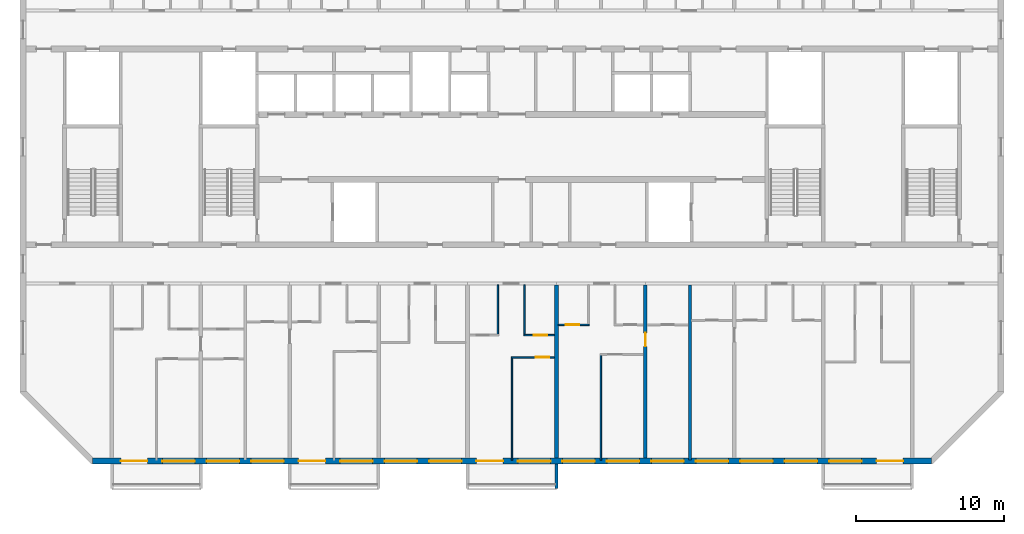
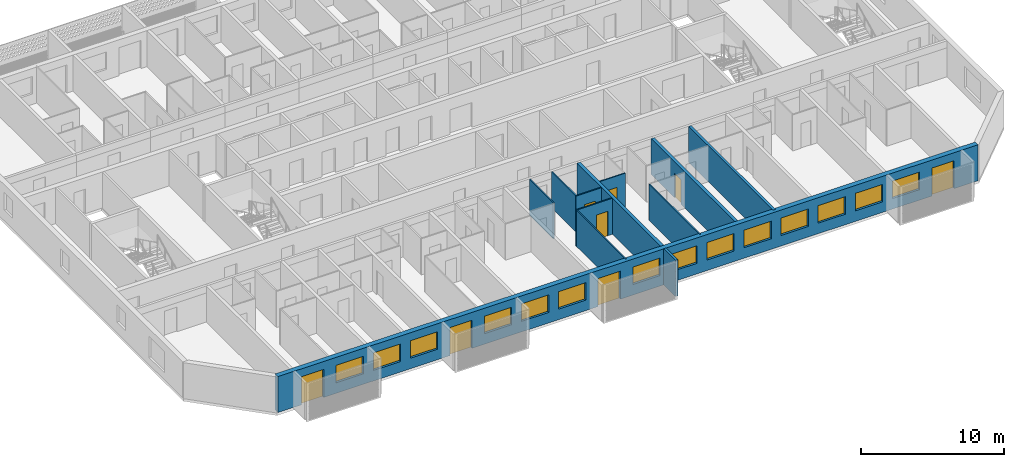
# One storey, part 4 of 27: 14 windows, 12 walls, 8 doors, 22 openings.
"""IFC4 building model written with IfcOpenShell, lengths in metres."""

import ifcopenshell
import ifcopenshell.guid

model = None  # the IFC model being written
_history = None  # IfcOwnerHistory: only IFC2X3 demands one
_inside = {}  # id of a spatial element -> (the spatial element, [elements in it])
_under = {}  # id of a project, library or spatial element -> (it, [spatial elements below it])
_declared = {}  # id of a project -> (the project, [libraries it declares])
_typed = {}  # id of a type object -> (the type object, [elements of that type])
_made_of = {}  # id of a material, layer set ... -> (it, [elements and type objects made of it])


def new_model(schema):
    """Start an empty IFC model of exactly this schema.

    Asked for "IFC4X3", IfcOpenShell would pick the latest addendum, in which some entities
    have other attributes; the version numbers below select the first issue.
    IFC2X3 requires an IfcOwnerHistory on every rooted entity: one is made here for all.
    """
    global model, _history
    if schema == "IFC4X3":
        model = ifcopenshell.file(schema_version=(4, 3, 0, 0))
    else:
        model = ifcopenshell.file(schema=schema)
    _inside.clear()
    _under.clear()
    _declared.clear()
    _typed.clear()
    _made_of.clear()
    _history = None
    if model.schema == "IFC2X3":
        org = make("IfcOrganization", Name="unknown")
        user = make(
            "IfcPersonAndOrganization",
            ThePerson=make("IfcPerson", FamilyName="unknown"),
            TheOrganization=org,
        )
        app = make(
            "IfcApplication",
            ApplicationDeveloper=org,
            Version="unknown",
            ApplicationFullName="unknown",
            ApplicationIdentifier="unknown",
        )
        _history = make(
            "IfcOwnerHistory",
            OwningUser=user,
            OwningApplication=app,
            ChangeAction="ADDED",
            CreationDate=0,
        )
    return model


def make(cls, **values):
    """One entity of the class cls with the attributes given. An attribute that is None is left unset."""
    return model.create_entity(
        cls, **{name: value for name, value in values.items() if value is not None}
    )


def rooted(cls, **values):
    """An entity with a GlobalId (a new one), such as an element, a storey or a relation."""
    return make(cls, GlobalId=ifcopenshell.guid.new(), OwnerHistory=_history, **values)


def si_unit(unit_type, name, prefix=None):
    """IfcSIUnit, for example si_unit("LENGTHUNIT", "METRE", prefix="MILLI")."""
    return make("IfcSIUnit", UnitType=unit_type, Prefix=prefix, Name=name)


def assignment(units):
    """IfcUnitAssignment: the units of a project."""
    return None if units is None else make("IfcUnitAssignment", Units=units)


def point(xyz):
    """IfcCartesianPoint."""
    return None if xyz is None else make("IfcCartesianPoint", Coordinates=xyz)


def direction(xyz):
    """IfcDirection."""
    return None if xyz is None else make("IfcDirection", DirectionRatios=xyz)


def frame(location, z_axis=None, x_axis=None):
    """IfcAxis2Placement3D, a coordinate frame: its origin and axes. An axis left out is left unset."""
    return make(
        "IfcAxis2Placement3D",
        Location=point(location),
        Axis=direction(z_axis),
        RefDirection=direction(x_axis),
    )


def frame_2d(location, x_axis=None):
    """IfcAxis2Placement2D, a coordinate frame in the plane: its origin and x axis."""
    return make(
        "IfcAxis2Placement2D", Location=point(location), RefDirection=direction(x_axis)
    )


def origin():
    """The frame at (0, 0, 0) with its axes left unset."""
    return frame((0.0, 0.0, 0.0))


def place(relative_to, where):
    """IfcLocalPlacement: puts the frame where relative to a parent placement (None: the world)."""
    return make(
        "IfcLocalPlacement", PlacementRelTo=relative_to, RelativePlacement=where
    )


def context(
    kind, dimensions, precision=None, world=None, true_north=None, identifier=None
):
    """IfcGeometricRepresentationContext, for example the 3D "Model" context."""
    return make(
        "IfcGeometricRepresentationContext",
        ContextIdentifier=identifier,
        ContextType=kind,
        CoordinateSpaceDimension=dimensions,
        Precision=precision,
        WorldCoordinateSystem=world,
        TrueNorth=true_north,
    )


def subcontext(parent, identifier, kind, view, scale=None):
    """IfcGeometricRepresentationSubContext, for example "Body" below "Model"."""
    return make(
        "IfcGeometricRepresentationSubContext",
        ContextIdentifier=identifier,
        ContextType=kind,
        ParentContext=parent,
        TargetScale=scale,
        TargetView=view,
    )


def project(units=None, contexts=None):
    """IfcProject with its units and contexts."""
    return rooted(
        "IfcProject",
        Name="project",
        RepresentationContexts=contexts,
        UnitsInContext=assignment(units),
    )


def spatial(cls, under=None, at=None, **own):
    """A site, building, storey or space (cls), placed at a placement, below another one or the project."""
    s = rooted(cls, ObjectPlacement=at, **own)
    if under is not None:
        _under.setdefault(under.id(), (under, []))[1].append(s)
    return s


def polyline(points):
    """IfcPolyline through the points."""
    return make("IfcPolyline", Points=[point(p) for p in points])


def profile(cls, at=None, kind="AREA", **sizes):
    """A parametric profile (cls). Its sizes go by their IFC names, for example OverallWidth=200.0."""
    return make(cls, ProfileType=kind, Position=at, **sizes)


def rectangle(**sizes):
    """IfcRectangleProfileDef."""
    return profile("IfcRectangleProfileDef", **sizes)


def outline(outer, holes=None, kind="AREA"):
    """IfcArbitraryClosedProfileDef: a profile drawn as a closed curve; with holes, ...WithVoids."""
    if holes is None:
        return make("IfcArbitraryClosedProfileDef", ProfileType=kind, OuterCurve=outer)
    return make(
        "IfcArbitraryProfileDefWithVoids",
        ProfileType=kind,
        OuterCurve=outer,
        InnerCurves=holes,
    )


def extrude(swept, where, along, depth):
    """IfcExtrudedAreaSolid: the profile swept, set in the frame where, extruded along a direction by depth."""
    return make(
        "IfcExtrudedAreaSolid",
        SweptArea=swept,
        Position=where,
        ExtrudedDirection=direction(along),
        Depth=depth,
    )


def shape(context_of_items, identifier, shape_type, items):
    """IfcShapeRepresentation: the items that make up one representation, for example the "Body"."""
    return make(
        "IfcShapeRepresentation",
        ContextOfItems=context_of_items,
        RepresentationIdentifier=identifier,
        RepresentationType=shape_type,
        Items=items,
    )


def source(mapping_origin, context_of_items, identifier, shape_type, items):
    """IfcRepresentationMap: a shape defined once, which mapped items show again and again."""
    return make(
        "IfcRepresentationMap",
        MappingOrigin=mapping_origin,
        MappedRepresentation=shape(context_of_items, identifier, shape_type, items),
    )


def transform(
    local_origin,
    x_axis=None,
    y_axis=None,
    z_axis=None,
    scale=None,
    scale2=None,
    scale3=None,
    uniform=True,
):
    """IfcCartesianTransformationOperator3D, or its non-uniform kind. x_axis, y_axis, z_axis: its Axis1, 2, 3."""
    if uniform:
        return make(
            "IfcCartesianTransformationOperator3D",
            Axis1=direction(x_axis),
            Axis2=direction(y_axis),
            LocalOrigin=point(local_origin),
            Scale=scale,
            Axis3=direction(z_axis),
        )
    return make(
        "IfcCartesianTransformationOperator3DnonUniform",
        Axis1=direction(x_axis),
        Axis2=direction(y_axis),
        LocalOrigin=point(local_origin),
        Scale=scale,
        Axis3=direction(z_axis),
        Scale2=scale2,
        Scale3=scale3,
    )


def mapped(mapping_source, mapping_target):
    """IfcMappedItem: shows the shape of a source again, moved by a transform."""
    return make(
        "IfcMappedItem", MappingSource=mapping_source, MappingTarget=mapping_target
    )


def material(Name=None, Category=None):
    """IfcMaterial."""
    return make("IfcMaterial", Name=Name, Category=Category)


def layer(
    of_material, thickness, ventilated=None, Name=None, Category=None, Priority=None
):
    """IfcMaterialLayer: one layer of a wall or slab, of a material (None: an air gap)."""
    return make(
        "IfcMaterialLayer",
        Material=of_material,
        LayerThickness=thickness,
        IsVentilated=ventilated,
        Name=Name,
        Category=Category,
        Priority=Priority,
    )


def layer_set(layers, Name=None):
    """IfcMaterialLayerSet."""
    return make("IfcMaterialLayerSet", MaterialLayers=layers, LayerSetName=Name)


def made_of(thing, what):
    """Note that an element or type object is made of a material, layer set ...; save() writes the relation."""
    if what is not None:
        _made_of.setdefault(what.id(), (what, []))[1].append(thing)
    return thing


def type_object(cls, material=None, **own):
    """A type object (cls), such as IfcWallType, which elements share."""
    return made_of(rooted(cls, **own), material)


def element(
    cls,
    number,
    at=None,
    inside=None,
    cuts=None,
    type_object=None,
    material=None,
    context=None,
    identifier="Body",
    shape_type=None,
    held_by="IfcProductDefinitionShape",
    body=None,
    shapes=None,
    **own,
):
    """One element of the class cls, such as IfcWall. Its Tag is "e" and its number.

    at: its placement. inside: the storey or other place that contains it. cuts: it is an
    opening in that element (IfcRelVoidsElement). A single representation is given by context,
    identifier, shape_type and body (its items); several are given by shapes. held_by: the class
    of the entity that holds the representations. save() writes the other relations.
    """
    e = rooted(cls, Tag="e%d" % number, ObjectPlacement=at, **own)
    if body is not None:
        shapes = [shape(context, identifier, shape_type, body)]
    if shapes is not None:
        e.Representation = make(held_by, Representations=shapes)
    if inside is not None:
        _inside.setdefault(inside.id(), (inside, []))[1].append(e)
    if cuts is not None:
        rooted(
            "IfcRelVoidsElement", RelatingBuildingElement=cuts, RelatedOpeningElement=e
        )
    if type_object is not None:
        _typed.setdefault(type_object.id(), (type_object, []))[1].append(e)
    return made_of(e, material)


def fill(opening, filler):
    """IfcRelFillsElement: the door or window that sits in an opening."""
    return rooted(
        "IfcRelFillsElement",
        RelatingOpeningElement=opening,
        RelatedBuildingElement=filler,
    )


def aggregate(whole, parts):
    """IfcRelAggregates: a whole, such as a stair, and the parts it consists of."""
    return rooted("IfcRelAggregates", RelatingObject=whole, RelatedObjects=parts)


def save(model, path):
    """Write the relations noted so far, then the file.

    IfcRelAggregates (storeys below a building ...), IfcRelContainedInSpatialStructure (elements
    in a storey), IfcRelDefinesByType, IfcRelAssociatesMaterial and IfcRelDeclares: one each for
    every whole, place, type object, material and project.
    """
    for whole, parts in _under.values():
        aggregate(whole, parts)
    for where, things in _inside.values():
        rooted(
            "IfcRelContainedInSpatialStructure",
            RelatedElements=things,
            RelatingStructure=where,
        )
    for kind, things in _typed.values():
        rooted("IfcRelDefinesByType", RelatedObjects=things, RelatingType=kind)
    for what, things in _made_of.values():
        rooted("IfcRelAssociatesMaterial", RelatedObjects=things, RelatingMaterial=what)
    for by, libraries in _declared.values():
        rooted("IfcRelDeclares", RelatingContext=by, RelatedDefinitions=libraries)
    model.write(path)


model = new_model("IFC4")

# Units and contexts
model_context = context("Model", 3, precision=1e-05, world=origin(), true_north=direction((0.0, 1.0)))
body_context = subcontext(model_context, "Body", "Model", "MODEL_VIEW")
ifc_project = project(units=[si_unit("LENGTHUNIT", "METRE"), si_unit("AREAUNIT", "SQUARE_METRE"), si_unit("VOLUMEUNIT", "CUBIC_METRE"), si_unit("PLANEANGLEUNIT", "RADIAN"), si_unit("MASSUNIT", "GRAM", prefix="KILO")], contexts=[model_context])

# Site, building, storey
site_placement = place(None, origin())
site = spatial("IfcSite", under=ifc_project, at=site_placement, CompositionType="ELEMENT")
building_placement = place(site_placement, origin())
building = spatial("IfcBuilding", under=site, at=building_placement, Name="Poui Terraces", CompositionType="ELEMENT")
storey_placement = place(building_placement, frame((0.0, 0.0, 204.89990234375)))
storey = spatial("IfcBuildingStorey", under=building, at=storey_placement, Name="L57", CompositionType="ELEMENT", Elevation=204.89990234375)

# Wall
ifc_material_1 = material(Name="Concrete 50 MPa", Category="concrete")
ifc_layer_1 = layer(ifc_material_1, 0.25)
ifc_layer_set_1 = layer_set([ifc_layer_1], Name="Concrete 50 MPa")
wall_type_1 = type_object("IfcWallType", Name="CROSS WALL 250 50MPa", PredefinedType="SHEAR", material=ifc_layer_set_1)
wall_1_placement = place(storey_placement, frame((54.0, 0.199951171875, 0.0), z_axis=(0.0, 0.0, 1.0), x_axis=(0.0, 1.0, 0.0)))
element("IfcWall", 1, at=wall_1_placement, inside=storey, type_object=wall_type_1, Name="CROSS WALL LINE 10 SOUTH", PredefinedType="SHEAR", context=body_context, shape_type="SweptSolid", body=[
    extrude(rectangle(XDim=11.699951171875, YDim=0.25, at=frame_2d((5.85009765625, 0.0))), origin(), (0.0, 0.0, 1.0), 3.080078125),
])

# Wall, opening, door
wall_2_placement = place(storey_placement, frame((60.0, 0.199951171875, 0.0), z_axis=(0.0, 0.0, 1.0), x_axis=(0.0, 1.0, 0.0)))
wall_2 = element("IfcWall", 2, at=wall_2_placement, inside=storey, type_object=wall_type_1, Name="CROSS WALL LINE 11 SOUTH", PredefinedType="SHEAR", context=body_context, shape_type="SweptSolid", body=[
    extrude(rectangle(XDim=11.699951171875, YDim=0.25, at=frame_2d((5.85009765625, 0.0))), origin(), (0.0, 0.0, 1.0), 3.080078125),
])
opening_1_placement = place(wall_2_placement, frame((7.550048828125, 0.0, 0.0)))
opening_1 = element("IfcOpeningElement", 3, at=opening_1_placement, cuts=wall_2, Name="Opening D90", PredefinedType="OPENING", context=body_context, shape_type="SweptSolid", body=[
    extrude(rectangle(XDim=0.89990234375, YDim=2.10009765625, at=frame_2d((0.449951171875, 1.050048828125))), frame((0.0, 0.135009765625, 0.0), z_axis=(0.0, -1.0, 0.0), x_axis=(1.0, 0.0, 0.0)), (0.0, 0.0, 1.0), 0.27001953125),
])
ifc_material_2 = material(Name="Solid core timber door", Category="wood")
door_type_1 = type_object("IfcDoorType", Name="INTERNAL DOOR 900 X 2100", OperationType="NOTDEFINED", PredefinedType="DOOR", material=ifc_material_2)
door_1_placement = place(opening_1_placement, frame((0.89990234375, 0.0, 0.0), z_axis=(0.0, 0.0, 1.0), x_axis=(-1.0, 0.0, 0.0)))
door_1 = element("IfcDoor", 4, at=door_1_placement, inside=storey, type_object=door_type_1, Name="INTERNAL DOOR 092", OperationType="SINGLE_SWING_LEFT", OverallHeight=2.10009765625, OverallWidth=0.89990234375, PredefinedType="DOOR", context=body_context, shape_type="SweptSolid", body=[
    extrude(rectangle(XDim=0.89990234375, YDim=2.10009765625, at=frame_2d((0.449951171875, 1.050048828125))), frame((0.0, 0.02490234375, 0.0), z_axis=(0.0, -1.0, 0.0), x_axis=(1.0, 0.0, 0.0)), (0.0, 0.0, 1.0), 0.050048828125),
])
fill(opening_1, door_1)

# Wall, openings, doors, windows
ifc_material_3 = material(Name="Precast concrete 40 MPa", Category="concrete")
ifc_layer_2 = layer(ifc_material_3, 0.39990234375)
ifc_layer_set_2 = layer_set([ifc_layer_2], Name="Precast concrete 40 MPa")
wall_type_2 = type_object("IfcWallType", Name="EXTERNAL WALL 400", PredefinedType="STANDARD", material=ifc_layer_set_2)
wall_3_placement = place(storey_placement, frame((22.682861328125, 0.0, 0.0), z_axis=(0.0, 0.0, 1.0), x_axis=(1.0, 0.0, 0.0)))
wall_3 = element("IfcWall", 5, at=wall_3_placement, inside=storey, type_object=wall_type_2, Name="EXTERNAL WALL S", PredefinedType="STANDARD", context=body_context, shape_type="SweptSolid", body=[
    extrude(rectangle(XDim=56.63427734375, YDim=0.39990234375, at=frame_2d((28.317138671875, 0.0))), origin(), (0.0, 0.0, 1.0), 3.080078125),
])
opening_2_placement = place(wall_3_placement, frame((1.917236328125, 0.0, 0.0)))
opening_2 = element("IfcOpeningElement", 6, at=opening_2_placement, cuts=wall_3, Name="Opening BD1", PredefinedType="OPENING", context=body_context, shape_type="SweptSolid", body=[
    extrude(rectangle(XDim=1.800048828125, YDim=2.39990234375, at=frame_2d((0.89990234375, 1.199951171875))), frame((0.0, 0.2099609375, 0.0), z_axis=(0.0, -1.0, 0.0), x_axis=(1.0, 0.0, 0.0)), (0.0, 0.0, 1.0), 0.419921875),
])
opening_3_placement = place(wall_3_placement, frame((4.71728515625, 0.0, 0.89990234375)))
opening_3 = element("IfcOpeningElement", 7, at=opening_3_placement, cuts=wall_3, Name="Opening W1", PredefinedType="OPENING", context=body_context, shape_type="SweptSolid", body=[
    extrude(rectangle(XDim=2.199951171875, YDim=1.5, at=frame_2d((1.10009765625, 0.75))), frame((0.0, 0.2099609375, 0.0), z_axis=(0.0, -1.0, 0.0), x_axis=(1.0, 0.0, 0.0)), (0.0, 0.0, 1.0), 0.419921875),
])
opening_4_placement = place(wall_3_placement, frame((7.71728515625, 0.0, 0.89990234375)))
opening_4 = element("IfcOpeningElement", 8, at=opening_4_placement, cuts=wall_3, Name="Opening W1", PredefinedType="OPENING", context=body_context, shape_type="SweptSolid", body=[
    extrude(rectangle(XDim=2.199951171875, YDim=1.5, at=frame_2d((1.10009765625, 0.75))), frame((0.0, 0.2099609375, 0.0), z_axis=(0.0, -1.0, 0.0), x_axis=(1.0, 0.0, 0.0)), (0.0, 0.0, 1.0), 0.419921875),
])
opening_5_placement = place(wall_3_placement, frame((10.71728515625, 0.0, 0.89990234375)))
opening_5 = element("IfcOpeningElement", 9, at=opening_5_placement, cuts=wall_3, Name="Opening W1", PredefinedType="OPENING", context=body_context, shape_type="SweptSolid", body=[
    extrude(rectangle(XDim=2.199951171875, YDim=1.5, at=frame_2d((1.10009765625, 0.75))), frame((0.0, 0.2099609375, 0.0), z_axis=(0.0, -1.0, 0.0), x_axis=(1.0, 0.0, 0.0)), (0.0, 0.0, 1.0), 0.419921875),
])
opening_6_placement = place(wall_3_placement, frame((13.917236328125, 0.0, 0.0)))
opening_6 = element("IfcOpeningElement", 10, at=opening_6_placement, cuts=wall_3, Name="Opening BD1", PredefinedType="OPENING", context=body_context, shape_type="SweptSolid", body=[
    extrude(rectangle(XDim=1.800048828125, YDim=2.39990234375, at=frame_2d((0.89990234375, 1.199951171875))), frame((0.0, 0.2099609375, 0.0), z_axis=(0.0, -1.0, 0.0), x_axis=(1.0, 0.0, 0.0)), (0.0, 0.0, 1.0), 0.419921875),
])
opening_7_placement = place(wall_3_placement, frame((16.71728515625, 0.0, 0.89990234375)))
opening_7 = element("IfcOpeningElement", 11, at=opening_7_placement, cuts=wall_3, Name="Opening W1", PredefinedType="OPENING", context=body_context, shape_type="SweptSolid", body=[
    extrude(rectangle(XDim=2.199951171875, YDim=1.5, at=frame_2d((1.10009765625, 0.75))), frame((0.0, 0.2099609375, 0.0), z_axis=(0.0, -1.0, 0.0), x_axis=(1.0, 0.0, 0.0)), (0.0, 0.0, 1.0), 0.419921875),
])
opening_8_placement = place(wall_3_placement, frame((19.71728515625, 0.0, 0.89990234375)))
opening_8 = element("IfcOpeningElement", 12, at=opening_8_placement, cuts=wall_3, Name="Opening W1", PredefinedType="OPENING", context=body_context, shape_type="SweptSolid", body=[
    extrude(rectangle(XDim=2.199951171875, YDim=1.5, at=frame_2d((1.10009765625, 0.75))), frame((0.0, 0.2099609375, 0.0), z_axis=(0.0, -1.0, 0.0), x_axis=(1.0, 0.0, 0.0)), (0.0, 0.0, 1.0), 0.419921875),
])
opening_9_placement = place(wall_3_placement, frame((22.71728515625, 0.0, 0.89990234375)))
opening_9 = element("IfcOpeningElement", 13, at=opening_9_placement, cuts=wall_3, Name="Opening W1", PredefinedType="OPENING", context=body_context, shape_type="SweptSolid", body=[
    extrude(rectangle(XDim=2.199951171875, YDim=1.5, at=frame_2d((1.10009765625, 0.75))), frame((0.0, 0.2099609375, 0.0), z_axis=(0.0, -1.0, 0.0), x_axis=(1.0, 0.0, 0.0)), (0.0, 0.0, 1.0), 0.419921875),
])
opening_10_placement = place(wall_3_placement, frame((25.917236328125, 0.0, 0.0)))
opening_10 = element("IfcOpeningElement", 14, at=opening_10_placement, cuts=wall_3, Name="Opening BD1", PredefinedType="OPENING", context=body_context, shape_type="SweptSolid", body=[
    extrude(rectangle(XDim=1.800048828125, YDim=2.39990234375, at=frame_2d((0.89990234375, 1.199951171875))), frame((0.0, 0.2099609375, 0.0), z_axis=(0.0, -1.0, 0.0), x_axis=(1.0, 0.0, 0.0)), (0.0, 0.0, 1.0), 0.419921875),
])
opening_11_placement = place(wall_3_placement, frame((28.71728515625, 0.0, 0.89990234375)))
opening_11 = element("IfcOpeningElement", 15, at=opening_11_placement, cuts=wall_3, Name="Opening W1", PredefinedType="OPENING", context=body_context, shape_type="SweptSolid", body=[
    extrude(rectangle(XDim=2.199951171875, YDim=1.5, at=frame_2d((1.10009765625, 0.75))), frame((0.0, 0.2099609375, 0.0), z_axis=(0.0, -1.0, 0.0), x_axis=(1.0, 0.0, 0.0)), (0.0, 0.0, 1.0), 0.419921875),
])
opening_12_placement = place(wall_3_placement, frame((31.71728515625, 0.0, 0.89990234375)))
opening_12 = element("IfcOpeningElement", 16, at=opening_12_placement, cuts=wall_3, Name="Opening W1", PredefinedType="OPENING", context=body_context, shape_type="SweptSolid", body=[
    extrude(rectangle(XDim=2.199951171875, YDim=1.5, at=frame_2d((1.10009765625, 0.75))), frame((0.0, 0.2099609375, 0.0), z_axis=(0.0, -1.0, 0.0), x_axis=(1.0, 0.0, 0.0)), (0.0, 0.0, 1.0), 0.419921875),
])
opening_13_placement = place(wall_3_placement, frame((34.71728515625, 0.0, 0.89990234375)))
opening_13 = element("IfcOpeningElement", 17, at=opening_13_placement, cuts=wall_3, Name="Opening W1", PredefinedType="OPENING", context=body_context, shape_type="SweptSolid", body=[
    extrude(rectangle(XDim=2.199951171875, YDim=1.5, at=frame_2d((1.10009765625, 0.75))), frame((0.0, 0.2099609375, 0.0), z_axis=(0.0, -1.0, 0.0), x_axis=(1.0, 0.0, 0.0)), (0.0, 0.0, 1.0), 0.419921875),
])
opening_14_placement = place(wall_3_placement, frame((37.71728515625, 0.0, 0.89990234375)))
opening_14 = element("IfcOpeningElement", 18, at=opening_14_placement, cuts=wall_3, Name="Opening W1", PredefinedType="OPENING", context=body_context, shape_type="SweptSolid", body=[
    extrude(rectangle(XDim=2.199951171875, YDim=1.5, at=frame_2d((1.10009765625, 0.75))), frame((0.0, 0.2099609375, 0.0), z_axis=(0.0, -1.0, 0.0), x_axis=(1.0, 0.0, 0.0)), (0.0, 0.0, 1.0), 0.419921875),
])
opening_15_placement = place(wall_3_placement, frame((40.71728515625, 0.0, 0.89990234375)))
opening_15 = element("IfcOpeningElement", 19, at=opening_15_placement, cuts=wall_3, Name="Opening W1", PredefinedType="OPENING", context=body_context, shape_type="SweptSolid", body=[
    extrude(rectangle(XDim=2.199951171875, YDim=1.5, at=frame_2d((1.10009765625, 0.75))), frame((0.0, 0.2099609375, 0.0), z_axis=(0.0, -1.0, 0.0), x_axis=(1.0, 0.0, 0.0)), (0.0, 0.0, 1.0), 0.419921875),
])
opening_16_placement = place(wall_3_placement, frame((43.71728515625, 0.0, 0.89990234375)))
opening_16 = element("IfcOpeningElement", 20, at=opening_16_placement, cuts=wall_3, Name="Opening W1", PredefinedType="OPENING", context=body_context, shape_type="SweptSolid", body=[
    extrude(rectangle(XDim=2.199951171875, YDim=1.5, at=frame_2d((1.10009765625, 0.75))), frame((0.0, 0.2099609375, 0.0), z_axis=(0.0, -1.0, 0.0), x_axis=(1.0, 0.0, 0.0)), (0.0, 0.0, 1.0), 0.419921875),
])
opening_17_placement = place(wall_3_placement, frame((46.71728515625, 0.0, 0.89990234375)))
opening_17 = element("IfcOpeningElement", 21, at=opening_17_placement, cuts=wall_3, Name="Opening W1", PredefinedType="OPENING", context=body_context, shape_type="SweptSolid", body=[
    extrude(rectangle(XDim=2.199951171875, YDim=1.5, at=frame_2d((1.10009765625, 0.75))), frame((0.0, 0.2099609375, 0.0), z_axis=(0.0, -1.0, 0.0), x_axis=(1.0, 0.0, 0.0)), (0.0, 0.0, 1.0), 0.419921875),
])
opening_18_placement = place(wall_3_placement, frame((49.71728515625, 0.0, 0.89990234375)))
opening_18 = element("IfcOpeningElement", 22, at=opening_18_placement, cuts=wall_3, Name="Opening W1", PredefinedType="OPENING", context=body_context, shape_type="SweptSolid", body=[
    extrude(rectangle(XDim=2.199951171875, YDim=1.5, at=frame_2d((1.10009765625, 0.75))), frame((0.0, 0.2099609375, 0.0), z_axis=(0.0, -1.0, 0.0), x_axis=(1.0, 0.0, 0.0)), (0.0, 0.0, 1.0), 0.419921875),
])
opening_19_placement = place(wall_3_placement, frame((52.917236328125, 0.0, 0.0)))
opening_19 = element("IfcOpeningElement", 23, at=opening_19_placement, cuts=wall_3, Name="Opening BD1", PredefinedType="OPENING", context=body_context, shape_type="SweptSolid", body=[
    extrude(rectangle(XDim=1.800048828125, YDim=2.39990234375, at=frame_2d((0.89990234375, 1.199951171875))), frame((0.0, 0.2099609375, 0.0), z_axis=(0.0, -1.0, 0.0), x_axis=(1.0, 0.0, 0.0)), (0.0, 0.0, 1.0), 0.419921875),
])
ifc_material_4 = material(Name="Clear glass in aluminium frame", Category="aluminium")
door_type_2 = type_object("IfcDoorType", Name="BALCONY DOOR 1800X2400", OperationType="DOUBLE_DOOR_SLIDING", PredefinedType="DOOR", material=ifc_material_4)
door_2_placement = place(opening_2_placement, origin())
door_2 = element("IfcDoor", 24, at=door_2_placement, inside=storey, type_object=door_type_2, Name="BD1 BALCONY DOOR", OperationType="DOUBLE_DOOR_SLIDING", OverallHeight=2.39990234375, OverallWidth=1.800048828125, PredefinedType="DOOR", context=body_context, shape_type="SweptSolid", body=[
    extrude(rectangle(XDim=1.800048828125, YDim=2.39990234375, at=frame_2d((0.89990234375, 1.199951171875))), frame((0.0, 0.02490234375, 0.0), z_axis=(0.0, -1.0, 0.0), x_axis=(1.0, 0.0, 0.0)), (0.0, 0.0, 1.0), 0.050048828125),
])
fill(opening_2, door_2)
door_3_placement = place(opening_6_placement, origin())
door_3 = element("IfcDoor", 25, at=door_3_placement, inside=storey, type_object=door_type_2, Name="BD1 BALCONY DOOR", OperationType="DOUBLE_DOOR_SLIDING", OverallHeight=2.39990234375, OverallWidth=1.800048828125, PredefinedType="DOOR", context=body_context, shape_type="SweptSolid", body=[
    extrude(rectangle(XDim=1.800048828125, YDim=2.39990234375, at=frame_2d((0.89990234375, 1.199951171875))), frame((0.0, 0.02490234375, 0.0), z_axis=(0.0, -1.0, 0.0), x_axis=(1.0, 0.0, 0.0)), (0.0, 0.0, 1.0), 0.050048828125),
])
fill(opening_6, door_3)
door_4_placement = place(opening_10_placement, origin())
door_4 = element("IfcDoor", 26, at=door_4_placement, inside=storey, type_object=door_type_2, Name="BD1 BALCONY DOOR", OperationType="DOUBLE_DOOR_SLIDING", OverallHeight=2.39990234375, OverallWidth=1.800048828125, PredefinedType="DOOR", context=body_context, shape_type="SweptSolid", body=[
    extrude(rectangle(XDim=1.800048828125, YDim=2.39990234375, at=frame_2d((0.89990234375, 1.199951171875))), frame((0.0, 0.02490234375, 0.0), z_axis=(0.0, -1.0, 0.0), x_axis=(1.0, 0.0, 0.0)), (0.0, 0.0, 1.0), 0.050048828125),
])
fill(opening_10, door_4)
door_5_placement = place(opening_19_placement, origin())
door_5 = element("IfcDoor", 27, at=door_5_placement, inside=storey, type_object=door_type_2, Name="BD1 BALCONY DOOR", OperationType="DOUBLE_DOOR_SLIDING", OverallHeight=2.39990234375, OverallWidth=1.800048828125, PredefinedType="DOOR", context=body_context, shape_type="SweptSolid", body=[
    extrude(rectangle(XDim=1.800048828125, YDim=2.39990234375, at=frame_2d((0.89990234375, 1.199951171875))), frame((0.0, 0.02490234375, 0.0), z_axis=(0.0, -1.0, 0.0), x_axis=(1.0, 0.0, 0.0)), (0.0, 0.0, 1.0), 0.050048828125),
])
fill(opening_19, door_5)
window_type = type_object("IfcWindowType", Name="WINDOW 2200X1500", PartitioningType="DOUBLE_PANEL_HORIZONTAL", PredefinedType="WINDOW", material=ifc_material_4)
window_1_placement = place(opening_3_placement, origin())
window_1 = element("IfcWindow", 28, at=window_1_placement, inside=storey, type_object=window_type, Name="W1 WINDOW", OverallHeight=1.5, OverallWidth=2.199951171875, PartitioningType="DOUBLE_PANEL_HORIZONTAL", PredefinedType="WINDOW", context=body_context, shape_type="SweptSolid", body=[
    extrude(rectangle(XDim=2.199951171875, YDim=1.5, at=frame_2d((1.10009765625, 0.75))), frame((0.0, 0.030029296875, 0.0), z_axis=(0.0, -1.0, 0.0), x_axis=(1.0, 0.0, 0.0)), (0.0, 0.0, 1.0), 0.06005859375),
])
fill(opening_3, window_1)
window_2_placement = place(opening_4_placement, origin())
window_2 = element("IfcWindow", 29, at=window_2_placement, inside=storey, type_object=window_type, Name="W1 WINDOW", OverallHeight=1.5, OverallWidth=2.199951171875, PartitioningType="DOUBLE_PANEL_HORIZONTAL", PredefinedType="WINDOW", context=body_context, shape_type="SweptSolid", body=[
    extrude(rectangle(XDim=2.199951171875, YDim=1.5, at=frame_2d((1.10009765625, 0.75))), frame((0.0, 0.030029296875, 0.0), z_axis=(0.0, -1.0, 0.0), x_axis=(1.0, 0.0, 0.0)), (0.0, 0.0, 1.0), 0.06005859375),
])
fill(opening_4, window_2)
window_3_placement = place(opening_5_placement, origin())
window_3 = element("IfcWindow", 30, at=window_3_placement, inside=storey, type_object=window_type, Name="W1 WINDOW", OverallHeight=1.5, OverallWidth=2.199951171875, PartitioningType="DOUBLE_PANEL_HORIZONTAL", PredefinedType="WINDOW", context=body_context, shape_type="SweptSolid", body=[
    extrude(rectangle(XDim=2.199951171875, YDim=1.5, at=frame_2d((1.10009765625, 0.75))), frame((0.0, 0.030029296875, 0.0), z_axis=(0.0, -1.0, 0.0), x_axis=(1.0, 0.0, 0.0)), (0.0, 0.0, 1.0), 0.06005859375),
])
fill(opening_5, window_3)
window_4_placement = place(opening_7_placement, origin())
window_4 = element("IfcWindow", 31, at=window_4_placement, inside=storey, type_object=window_type, Name="W1 WINDOW", OverallHeight=1.5, OverallWidth=2.199951171875, PartitioningType="DOUBLE_PANEL_HORIZONTAL", PredefinedType="WINDOW", context=body_context, shape_type="SweptSolid", body=[
    extrude(rectangle(XDim=2.199951171875, YDim=1.5, at=frame_2d((1.10009765625, 0.75))), frame((0.0, 0.030029296875, 0.0), z_axis=(0.0, -1.0, 0.0), x_axis=(1.0, 0.0, 0.0)), (0.0, 0.0, 1.0), 0.06005859375),
])
fill(opening_7, window_4)
window_5_placement = place(opening_8_placement, origin())
window_5 = element("IfcWindow", 32, at=window_5_placement, inside=storey, type_object=window_type, Name="W1 WINDOW", OverallHeight=1.5, OverallWidth=2.199951171875, PartitioningType="DOUBLE_PANEL_HORIZONTAL", PredefinedType="WINDOW", context=body_context, shape_type="SweptSolid", body=[
    extrude(rectangle(XDim=2.199951171875, YDim=1.5, at=frame_2d((1.10009765625, 0.75))), frame((0.0, 0.030029296875, 0.0), z_axis=(0.0, -1.0, 0.0), x_axis=(1.0, 0.0, 0.0)), (0.0, 0.0, 1.0), 0.06005859375),
])
fill(opening_8, window_5)
window_6_placement = place(opening_9_placement, origin())
window_6 = element("IfcWindow", 33, at=window_6_placement, inside=storey, type_object=window_type, Name="W1 WINDOW", OverallHeight=1.5, OverallWidth=2.199951171875, PartitioningType="DOUBLE_PANEL_HORIZONTAL", PredefinedType="WINDOW", context=body_context, shape_type="SweptSolid", body=[
    extrude(rectangle(XDim=2.199951171875, YDim=1.5, at=frame_2d((1.10009765625, 0.75))), frame((0.0, 0.030029296875, 0.0), z_axis=(0.0, -1.0, 0.0), x_axis=(1.0, 0.0, 0.0)), (0.0, 0.0, 1.0), 0.06005859375),
])
fill(opening_9, window_6)
window_7_placement = place(opening_11_placement, origin())
window_7 = element("IfcWindow", 34, at=window_7_placement, inside=storey, type_object=window_type, Name="W1 WINDOW", OverallHeight=1.5, OverallWidth=2.199951171875, PartitioningType="DOUBLE_PANEL_HORIZONTAL", PredefinedType="WINDOW", context=body_context, shape_type="SweptSolid", body=[
    extrude(rectangle(XDim=2.199951171875, YDim=1.5, at=frame_2d((1.10009765625, 0.75))), frame((0.0, 0.030029296875, 0.0), z_axis=(0.0, -1.0, 0.0), x_axis=(1.0, 0.0, 0.0)), (0.0, 0.0, 1.0), 0.06005859375),
])
fill(opening_11, window_7)
window_8_placement = place(opening_12_placement, origin())
window_8 = element("IfcWindow", 35, at=window_8_placement, inside=storey, type_object=window_type, Name="W1 WINDOW", OverallHeight=1.5, OverallWidth=2.199951171875, PartitioningType="DOUBLE_PANEL_HORIZONTAL", PredefinedType="WINDOW", context=body_context, shape_type="SweptSolid", body=[
    extrude(rectangle(XDim=2.199951171875, YDim=1.5, at=frame_2d((1.10009765625, 0.75))), frame((0.0, 0.030029296875, 0.0), z_axis=(0.0, -1.0, 0.0), x_axis=(1.0, 0.0, 0.0)), (0.0, 0.0, 1.0), 0.06005859375),
])
fill(opening_12, window_8)
window_9_placement = place(opening_13_placement, origin())
window_9 = element("IfcWindow", 36, at=window_9_placement, inside=storey, type_object=window_type, Name="W1 WINDOW", OverallHeight=1.5, OverallWidth=2.199951171875, PartitioningType="DOUBLE_PANEL_HORIZONTAL", PredefinedType="WINDOW", context=body_context, shape_type="SweptSolid", body=[
    extrude(rectangle(XDim=2.199951171875, YDim=1.5, at=frame_2d((1.10009765625, 0.75))), frame((0.0, 0.030029296875, 0.0), z_axis=(0.0, -1.0, 0.0), x_axis=(1.0, 0.0, 0.0)), (0.0, 0.0, 1.0), 0.06005859375),
])
fill(opening_13, window_9)
window_10_placement = place(opening_14_placement, origin())
window_10 = element("IfcWindow", 37, at=window_10_placement, inside=storey, type_object=window_type, Name="W1 WINDOW", OverallHeight=1.5, OverallWidth=2.199951171875, PartitioningType="DOUBLE_PANEL_HORIZONTAL", PredefinedType="WINDOW", context=body_context, shape_type="SweptSolid", body=[
    extrude(rectangle(XDim=2.199951171875, YDim=1.5, at=frame_2d((1.10009765625, 0.75))), frame((0.0, 0.030029296875, 0.0), z_axis=(0.0, -1.0, 0.0), x_axis=(1.0, 0.0, 0.0)), (0.0, 0.0, 1.0), 0.06005859375),
])
fill(opening_14, window_10)
window_11_placement = place(opening_15_placement, origin())
window_11 = element("IfcWindow", 38, at=window_11_placement, inside=storey, type_object=window_type, Name="W1 WINDOW", OverallHeight=1.5, OverallWidth=2.199951171875, PartitioningType="DOUBLE_PANEL_HORIZONTAL", PredefinedType="WINDOW", context=body_context, shape_type="SweptSolid", body=[
    extrude(rectangle(XDim=2.199951171875, YDim=1.5, at=frame_2d((1.10009765625, 0.75))), frame((0.0, 0.030029296875, 0.0), z_axis=(0.0, -1.0, 0.0), x_axis=(1.0, 0.0, 0.0)), (0.0, 0.0, 1.0), 0.06005859375),
])
fill(opening_15, window_11)
window_12_placement = place(opening_16_placement, origin())
window_12 = element("IfcWindow", 39, at=window_12_placement, inside=storey, type_object=window_type, Name="W1 WINDOW", OverallHeight=1.5, OverallWidth=2.199951171875, PartitioningType="DOUBLE_PANEL_HORIZONTAL", PredefinedType="WINDOW", context=body_context, shape_type="SweptSolid", body=[
    extrude(rectangle(XDim=2.199951171875, YDim=1.5, at=frame_2d((1.10009765625, 0.75))), frame((0.0, 0.030029296875, 0.0), z_axis=(0.0, -1.0, 0.0), x_axis=(1.0, 0.0, 0.0)), (0.0, 0.0, 1.0), 0.06005859375),
])
fill(opening_16, window_12)
window_13_placement = place(opening_17_placement, origin())
window_13 = element("IfcWindow", 40, at=window_13_placement, inside=storey, type_object=window_type, Name="W1 WINDOW", OverallHeight=1.5, OverallWidth=2.199951171875, PartitioningType="DOUBLE_PANEL_HORIZONTAL", PredefinedType="WINDOW", context=body_context, shape_type="SweptSolid", body=[
    extrude(rectangle(XDim=2.199951171875, YDim=1.5, at=frame_2d((1.10009765625, 0.75))), frame((0.0, 0.030029296875, 0.0), z_axis=(0.0, -1.0, 0.0), x_axis=(1.0, 0.0, 0.0)), (0.0, 0.0, 1.0), 0.06005859375),
])
fill(opening_17, window_13)
window_14_placement = place(opening_18_placement, origin())
window_14 = element("IfcWindow", 41, at=window_14_placement, inside=storey, type_object=window_type, Name="W1 WINDOW", OverallHeight=1.5, OverallWidth=2.199951171875, PartitioningType="DOUBLE_PANEL_HORIZONTAL", PredefinedType="WINDOW", context=body_context, shape_type="SweptSolid", body=[
    extrude(rectangle(XDim=2.199951171875, YDim=1.5, at=frame_2d((1.10009765625, 0.75))), frame((0.0, 0.030029296875, 0.0), z_axis=(0.0, -1.0, 0.0), x_axis=(1.0, 0.0, 0.0)), (0.0, 0.0, 1.0), 0.06005859375),
])
fill(opening_18, window_14)

# Wall, opening, door
ifc_material_5 = material(Name="Plasterboard partition")
ifc_layer_3 = layer(ifc_material_5, 0.10009765625)
ifc_layer_set_3 = layer_set([ifc_layer_3], Name="Plasterboard partition")
wall_type_3 = type_object("IfcWallType", Name="FLAT PARTITION 100", PredefinedType="PARTITIONING", material=ifc_layer_set_3)
wall_4_placement = place(storey_placement, frame((50.949951171875, 7.0, 0.0), z_axis=(0.0, 0.0, 1.0), x_axis=(1.0, 0.0, 0.0)))
wall_4 = element("IfcWall", 42, at=wall_4_placement, inside=storey, type_object=wall_type_3, Name="FLAT PARTITION 100", PredefinedType="PARTITIONING", context=body_context, shape_type="SweptSolid", body=[
    extrude(rectangle(XDim=2.9150390625, YDim=0.10009765625, at=frame_2d((1.45751953125, 0.0))), origin(), (0.0, 0.0, 1.0), 3.080078125),
])
opening_20_placement = place(wall_4_placement, frame((1.64990234375, 0.0, 0.0)))
opening_20 = element("IfcOpeningElement", 43, at=opening_20_placement, cuts=wall_4, Name="Opening D90", PredefinedType="OPENING", context=body_context, shape_type="SweptSolid", body=[
    extrude(rectangle(XDim=0.89990234375, YDim=2.10009765625, at=frame_2d((0.449951171875, 1.050048828125))), frame((0.0, 0.06005859375, 0.0), z_axis=(0.0, -1.0, 0.0), x_axis=(1.0, 0.0, 0.0)), (0.0, 0.0, 1.0), 0.1201171875),
])
door_6_placement = place(opening_20_placement, origin())
door_6 = element("IfcDoor", 44, at=door_6_placement, inside=storey, type_object=door_type_1, Name="INTERNAL DOOR 086", OperationType="SINGLE_SWING_LEFT", OverallHeight=2.10009765625, OverallWidth=0.89990234375, PredefinedType="DOOR", context=body_context, shape_type="SweptSolid", body=[
    extrude(rectangle(XDim=0.89990234375, YDim=2.10009765625, at=frame_2d((0.449951171875, 1.050048828125))), frame((0.0, 0.02490234375, 0.0), z_axis=(0.0, -1.0, 0.0), x_axis=(1.0, 0.0, 0.0)), (0.0, 0.0, 1.0), 0.050048828125),
])
fill(opening_20, door_6)

wall_5_placement = place(storey_placement, frame((51.800048828125, 8.5, 0.0), z_axis=(0.0, 0.0, 1.0), x_axis=(1.0, 0.0, 0.0)))
wall_5 = element("IfcWall", 45, at=wall_5_placement, inside=storey, type_object=wall_type_3, Name="FLAT PARTITION 100", PredefinedType="PARTITIONING", context=body_context, shape_type="SweptSolid", body=[
    extrude(rectangle(XDim=2.06494140625, YDim=0.10009765625, at=frame_2d((1.032470703125, 0.0))), origin(), (0.0, 0.0, 1.0), 3.080078125),
])
opening_21_placement = place(wall_5_placement, frame((0.675048828125, 0.0, 0.0)))
opening_21 = element("IfcOpeningElement", 46, at=opening_21_placement, cuts=wall_5, Name="Opening D90", PredefinedType="OPENING", context=body_context, shape_type="SweptSolid", body=[
    extrude(rectangle(XDim=0.89990234375, YDim=2.10009765625, at=frame_2d((0.449951171875, 1.050048828125))), frame((0.0, 0.06005859375, 0.0), z_axis=(0.0, -1.0, 0.0), x_axis=(1.0, 0.0, 0.0)), (0.0, 0.0, 1.0), 0.1201171875),
])
door_7_placement = place(opening_21_placement, origin())
door_7 = element("IfcDoor", 47, at=door_7_placement, inside=storey, type_object=door_type_1, Name="INTERNAL DOOR 085", OperationType="SINGLE_SWING_RIGHT", OverallHeight=2.10009765625, OverallWidth=0.89990234375, PredefinedType="DOOR", context=body_context, shape_type="SweptSolid", body=[
    extrude(rectangle(XDim=0.89990234375, YDim=2.10009765625, at=frame_2d((0.449951171875, 1.050048828125))), frame((0.0, 0.02490234375, 0.0), z_axis=(0.0, -1.0, 0.0), x_axis=(1.0, 0.0, 0.0)), (0.0, 0.0, 1.0), 0.050048828125),
])
fill(opening_21, door_7)

wall_6_placement = place(storey_placement, frame((54.135009765625, 9.199951171875, 0.0), z_axis=(0.0, 0.0, 1.0), x_axis=(1.0, 0.0, 0.0)))
wall_6 = element("IfcWall", 48, at=wall_6_placement, inside=storey, type_object=wall_type_3, Name="FLAT PARTITION 100", PredefinedType="PARTITIONING", context=body_context, shape_type="SweptSolid", body=[
    extrude(rectangle(XDim=2.06494140625, YDim=0.10009765625, at=frame_2d((1.032470703125, 0.0))), origin(), (0.0, 0.0, 1.0), 3.080078125),
])
opening_22_placement = place(wall_6_placement, frame((0.489990234375, 0.0, 0.0)))
opening_22 = element("IfcOpeningElement", 49, at=opening_22_placement, cuts=wall_6, Name="Opening D90", PredefinedType="OPENING", context=body_context, shape_type="SweptSolid", body=[
    extrude(rectangle(XDim=0.89990234375, YDim=2.10009765625, at=frame_2d((0.449951171875, 1.050048828125))), frame((0.0, 0.06005859375, 0.0), z_axis=(0.0, -1.0, 0.0), x_axis=(1.0, 0.0, 0.0)), (0.0, 0.0, 1.0), 0.1201171875),
])
door_8_placement = place(opening_22_placement, origin())
door_8 = element("IfcDoor", 50, at=door_8_placement, inside=storey, type_object=door_type_1, Name="INTERNAL DOOR 088", OperationType="SINGLE_SWING_RIGHT", OverallHeight=2.10009765625, OverallWidth=0.89990234375, PredefinedType="DOOR", context=body_context, shape_type="SweptSolid", body=[
    extrude(rectangle(XDim=0.89990234375, YDim=2.10009765625, at=frame_2d((0.449951171875, 1.050048828125))), frame((0.0, 0.02490234375, 0.0), z_axis=(0.0, -1.0, 0.0), x_axis=(1.0, 0.0, 0.0)), (0.0, 0.0, 1.0), 0.050048828125),
])
fill(opening_22, door_8)

# Walls
wall_7_placement = place(storey_placement, frame((50.050048828125, 8.550048828125, 0.0), z_axis=(0.0, 0.0, 1.0), x_axis=(0.0, 1.0, 0.0)))
element("IfcWall", 51, at=wall_7_placement, inside=storey, type_object=wall_type_3, Name="FLAT PARTITION 100", PredefinedType="PARTITIONING", context=body_context, shape_type="SweptSolid", body=[
    extrude(rectangle(XDim=3.33984375, YDim=0.10009765625, at=frame_2d((1.669921875, 0.0))), origin(), (0.0, 0.0, 1.0), 3.080078125),
])
wall_8_placement = place(storey_placement, frame((51.0, 0.06005859375, 0.0), z_axis=(0.0, 0.0, 1.0), x_axis=(0.0, 1.0, 0.0)))
element("IfcWall", 52, at=wall_8_placement, inside=storey, type_object=wall_type_3, Name="FLAT PARTITION 100", PredefinedType="PARTITIONING", context=body_context, shape_type="SweptSolid", body=[
    extrude(rectangle(XDim=6.889892578125, YDim=0.10009765625, at=frame_2d((3.44482421875, 0.0))), origin(), (0.0, 0.0, 1.0), 3.080078125),
])
wall_9_placement = place(storey_placement, frame((51.85009765625, 8.550048828125, 0.0), z_axis=(0.0, 0.0, 1.0), x_axis=(0.0, 1.0, 0.0)))
element("IfcWall", 53, at=wall_9_placement, inside=storey, type_object=wall_type_3, Name="FLAT PARTITION 100", PredefinedType="PARTITIONING", context=body_context, shape_type="SweptSolid", body=[
    extrude(rectangle(XDim=3.33984375, YDim=0.10009765625, at=frame_2d((1.669921875, 0.0))), origin(), (0.0, 0.0, 1.0), 3.080078125),
])
wall_10_placement = place(storey_placement, frame((57.0, 0.06005859375, 0.0), z_axis=(0.0, 0.0, 1.0), x_axis=(0.0, 1.0, 0.0)))
element("IfcWall", 54, at=wall_10_placement, inside=storey, type_object=wall_type_3, Name="FLAT PARTITION 100", PredefinedType="PARTITIONING", context=body_context, shape_type="SweptSolid", body=[
    extrude(rectangle(XDim=7.08984375, YDim=0.10009765625, at=frame_2d((3.544921875, 0.0))), origin(), (0.0, 0.0, 1.0), 3.080078125),
])
ifc_material_6 = material(Name="Fire-rated masonry wall", Category="masonry")
ifc_layer_4 = layer(ifc_material_6, 0.199951171875)
ifc_layer_set_4 = layer_set([ifc_layer_4], Name="Fire-rated masonry wall")
wall_type_4 = type_object("IfcWallType", Name="FLAT PARTY WALL 200", PredefinedType="PARTITIONING", material=ifc_layer_set_4)
wall_11_placement = place(storey_placement, frame((63.0, 0.06005859375, 0.0), z_axis=(0.0, 0.0, 1.0), x_axis=(0.0, 1.0, 0.0)))
element("IfcWall", 55, at=wall_11_placement, inside=storey, type_object=wall_type_4, Name="FLAT PARTY WALL 200", PredefinedType="PARTITIONING", context=body_context, shape_type="SweptSolid", body=[
    extrude(rectangle(XDim=11.829833984375, YDim=0.199951171875, at=frame_2d((5.9150390625, 0.0))), origin(), (0.0, 0.0, 1.0), 3.080078125),
])
ifc_layer_5 = layer(ifc_material_3, 0.199951171875)
ifc_layer_set_5 = layer_set([ifc_layer_5], Name="Precast concrete 40 MPa")
wall_type_5 = type_object("IfcWallType", Name="REAR FIN 200", PredefinedType="STANDARD", material=ifc_layer_set_5)
shared_shape = source(origin(), body_context, "Body", "SweptSolid", [
    extrude(outline(polyline([(0.0, 0.0), (0.2001953125, 0.0), (0.2001953125, 1.650146484375), (0.0, 1.650146484375), (0.0, 0.0)])), origin(), (0.0, 0.0, 1.0), 3.10009765625),
])
wall_12_placement = place(storey_placement, frame((53.89990234375, -1.85009765625, 0.0)))
element("IfcWall", 56, at=wall_12_placement, inside=storey, type_object=wall_type_5, Name="REAR FIN", PredefinedType="STANDARD", context=body_context, shape_type="MappedRepresentation", body=[
    mapped(shared_shape, transform((0.0, 0.0, 0.0))),
])

save(model, "model.ifc")
